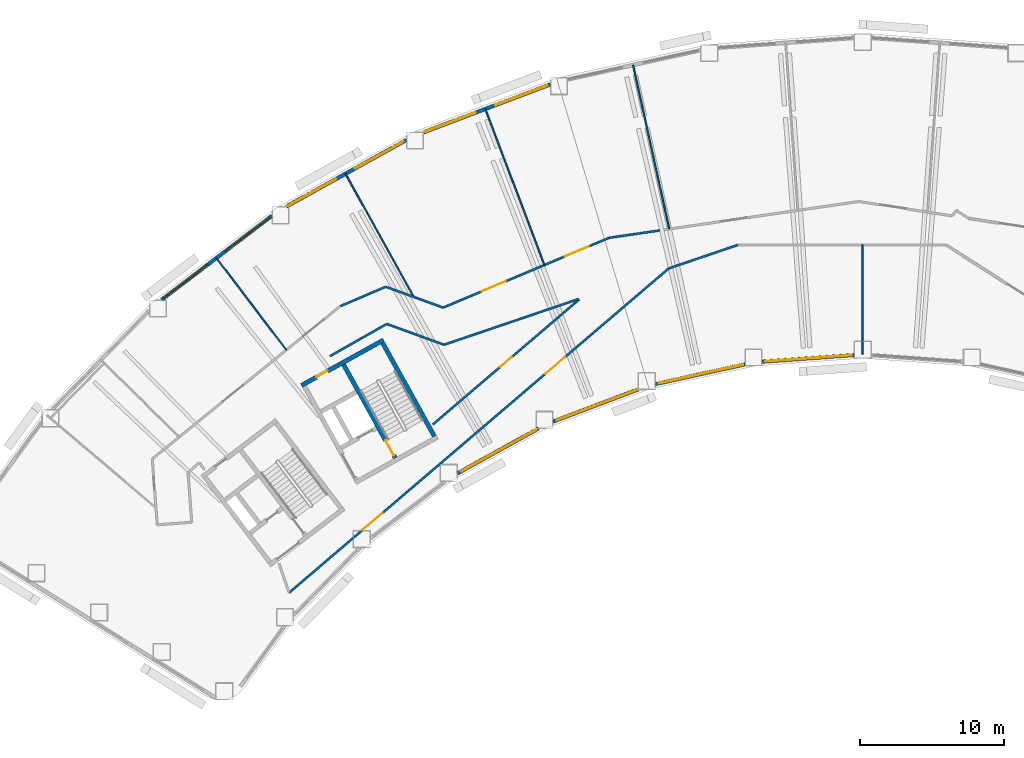
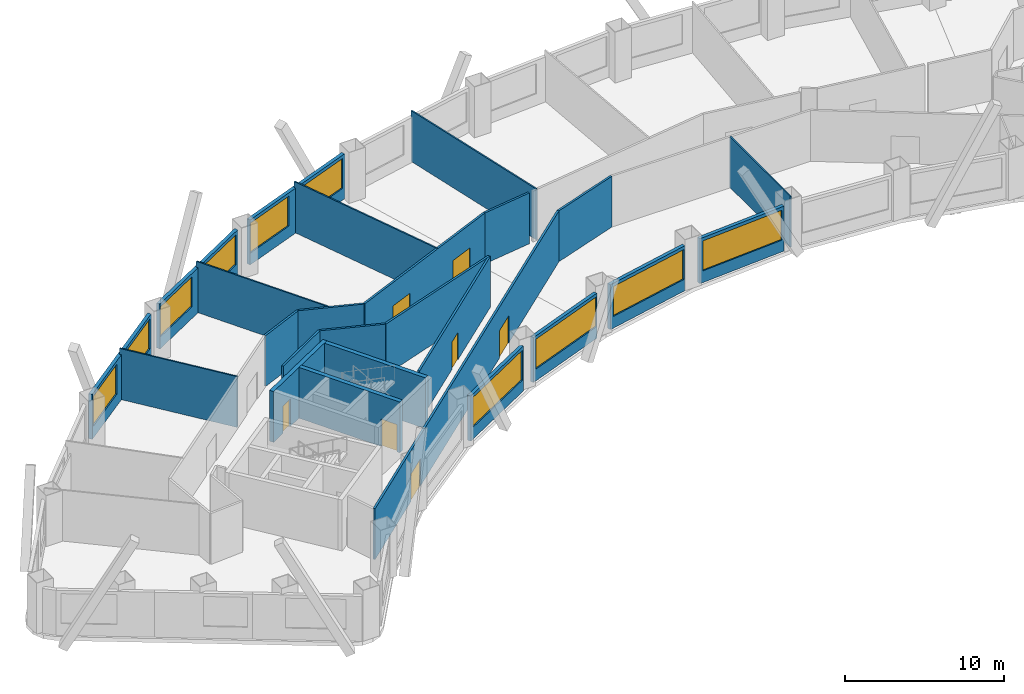
# One storey, part 4 of 11: 25 walls, 10 windows, 7 doors, 17 openings.
"""IFC4 building model written with IfcOpenShell, lengths in metres."""

from ifc_helpers import new_model, si_unit, direction, frame, frame_2d, origin, place, context, subcontext, project, spatial, rectangle, extrude, material, layer, layer_set, type_object, element, fill, save


model = new_model("IFC4")

# Units and contexts
model_context = context("Model", 3, precision=1e-05, world=origin(), true_north=direction((0.0, 1.0)))
body_context = subcontext(model_context, "Body", "Model", "MODEL_VIEW")
ifc_project = project(units=[si_unit("LENGTHUNIT", "METRE"), si_unit("AREAUNIT", "SQUARE_METRE"), si_unit("VOLUMEUNIT", "CUBIC_METRE"), si_unit("PLANEANGLEUNIT", "RADIAN"), si_unit("MASSUNIT", "GRAM", prefix="KILO")], contexts=[model_context])

# Site, building, storey
site_placement = place(None, origin())
site = spatial("IfcSite", under=ifc_project, at=site_placement, CompositionType="ELEMENT")
building_placement = place(site_placement, origin())
building = spatial("IfcBuilding", under=site, at=building_placement, Name="Tuul Gate Civic Tower", CompositionType="ELEMENT")
storey_placement = place(building_placement, frame((0.0, 0.0, 65.39990234375)))
storey = spatial("IfcBuildingStorey", under=building, at=storey_placement, Name="Level 14", CompositionType="ELEMENT", Elevation=65.39990234375)

# Wall, opening, door
ifc_material_1 = material(Name="Concrete C50/60", Category="concrete")
ifc_layer_1 = layer(ifc_material_1, 0.300048828125)
ifc_layer_set_1 = layer_set([ifc_layer_1], Name="Concrete C50/60")
wall_type_1 = type_object("IfcWallType", Name="Core wall C50/60", PredefinedType="SHEAR", material=ifc_layer_set_1)
wall_1_placement = place(storey_placement, frame((-28.4443359375, -1.98095703125, 0.0), z_axis=(0.0, 0.0, 1.0), x_axis=(-0.874629909008, -0.484791215132, 0.0)))
wall_1 = element("IfcWall", 1, at=wall_1_placement, inside=storey, type_object=wall_type_1, Name="Core wall", PredefinedType="SHEAR", context=body_context, shape_type="SweptSolid", body=[
    extrude(rectangle(XDim=6.5, YDim=0.300048828125, at=frame_2d((3.25, 0.0))), origin(), (0.0, 0.0, 1.0), 3.900146484375),
])
opening_1_placement = place(wall_1_placement, frame((4.425048828125, 0.0, 0.0)))
opening_1 = element("IfcOpeningElement", 2, at=opening_1_placement, cuts=wall_1, Name="Opening D-D23", PredefinedType="OPENING", context=body_context, shape_type="SweptSolid", body=[
    extrude(rectangle(XDim=0.89990234375, YDim=2.10009765625, at=frame_2d((0.449951171875, 1.050048828125))), frame((0.0, 0.16015625, 0.0), z_axis=(0.0, -1.0, 0.0), x_axis=(1.0, 0.0, 0.0)), (0.0, 0.0, 1.0), 0.320068359375),
])
ifc_material_2 = material(Name="Timber door leaf", Category="wood")
door_type_1 = type_object("IfcDoorType", Name="Door D09", OperationType="NOTDEFINED", PredefinedType="DOOR", material=ifc_material_2)
door_1_placement = place(opening_1_placement, origin())
door_1 = element("IfcDoor", 3, at=door_1_placement, inside=storey, type_object=door_type_1, Name="Door D-D23", OperationType="SINGLE_SWING_LEFT", OverallHeight=2.10009765625, OverallWidth=0.89990234375, PredefinedType="DOOR", context=body_context, shape_type="SweptSolid", body=[
    extrude(rectangle(XDim=0.89990234375, YDim=2.10009765625, at=frame_2d((0.449951171875, 1.050048828125))), frame((0.0, 0.02490234375, 0.0), z_axis=(0.0, -1.0, 0.0), x_axis=(1.0, 0.0, 0.0)), (0.0, 0.0, 1.0), 0.050048828125),
])
fill(opening_1, door_1)

# Wall
wall_2_placement = place(storey_placement, frame((-24.91552734375, -8.6572265625, 0.0), z_axis=(0.0, 0.0, 1.0), x_axis=(-0.484777133038, 0.874637714304, 0.0)))
element("IfcWall", 4, at=wall_2_placement, inside=storey, type_object=wall_type_1, Name="Core wall", PredefinedType="SHEAR", context=body_context, shape_type="SweptSolid", body=[
    extrude(rectangle(XDim=7.400146484375, YDim=0.300048828125, at=frame_2d((3.7001953125, 0.0))), origin(), (0.0, 0.0, 1.0), 3.900146484375),
])

# Wall, opening, door
wall_3_placement = place(storey_placement, frame((-27.626953125, -10.16015625, 0.0), z_axis=(0.0, 0.0, 1.0), x_axis=(-0.484751894226, 0.874651702704, 0.0)))
wall_3 = element("IfcWall", 5, at=wall_3_placement, inside=storey, type_object=wall_type_1, Name="Core wall", PredefinedType="SHEAR", context=body_context, shape_type="SweptSolid", body=[
    extrude(rectangle(XDim=7.39990234375, YDim=0.300048828125, at=frame_2d((3.699951171875, 0.0))), origin(), (0.0, 0.0, 1.0), 3.900146484375),
])
opening_2_placement = place(wall_3_placement, frame((0.199951171875, 0.0, 0.0)))
opening_2 = element("IfcOpeningElement", 6, at=opening_2_placement, cuts=wall_3, Name="Opening SD-ST-2", PredefinedType="OPENING", context=body_context, shape_type="SweptSolid", body=[
    extrude(rectangle(XDim=1.199951171875, YDim=2.10009765625, at=frame_2d((0.60009765625, 1.050048828125))), frame((0.0, 0.16015625, 0.0), z_axis=(0.0, -1.0, 0.0), x_axis=(1.0, 0.0, 0.0)), (0.0, 0.0, 1.0), 0.320068359375),
])
ifc_material_3 = material(Name="Steel", Category="steel")
door_type_2 = type_object("IfcDoorType", Name="Stair door", OperationType="NOTDEFINED", PredefinedType="DOOR", material=ifc_material_3)
door_2_placement = place(opening_2_placement, origin())
door_2 = element("IfcDoor", 7, at=door_2_placement, inside=storey, type_object=door_type_2, Name="Stair door ST-2", OperationType="SINGLE_SWING_LEFT", OverallHeight=2.10009765625, OverallWidth=1.199951171875, PredefinedType="DOOR", context=body_context, shape_type="SweptSolid", body=[
    extrude(rectangle(XDim=1.199951171875, YDim=2.10009765625, at=frame_2d((0.60009765625, 1.050048828125))), frame((0.0, 0.02490234375, 0.0), z_axis=(0.0, -1.0, 0.0), x_axis=(1.0, 0.0, 0.0)), (0.0, 0.0, 1.0), 0.050048828125),
])
fill(opening_2, door_2)

# Wall
ifc_material_4 = material(Name="Gypsum board partition")
ifc_layer_2 = layer(ifc_material_4, 0.14990234375)
ifc_layer_set_2 = layer_set([ifc_layer_2], Name="Gypsum board partition")
wall_type_2 = type_object("IfcWallType", Name="Corridor wall P150", PredefinedType="PARTITIONING", material=ifc_layer_set_2)
wall_4_placement = place(storey_placement, frame((-12.78564453125, 5.115478515625, 0.0), z_axis=(0.0, 0.0, 1.0), x_axis=(0.989602242761, 0.143831154912, 0.0)))
element("IfcWall", 8, at=wall_4_placement, inside=storey, type_object=wall_type_2, Name="p024", PredefinedType="PARTITIONING", context=body_context, shape_type="SweptSolid", body=[
    extrude(rectangle(XDim=3.5595703125, YDim=0.14990234375, at=frame_2d((1.77978515625, 0.0))), origin(), (0.0, 0.0, 1.0), 3.900146484375),
])

# Wall, opening, door
wall_5_placement = place(storey_placement, frame((-25.0244140625, -7.84130859375, 0.0), z_axis=(0.0, 0.0, 1.0), x_axis=(0.760328562732, 0.64953866451, 0.0)))
wall_5 = element("IfcWall", 9, at=wall_5_placement, inside=storey, type_object=wall_type_2, Name="p028", PredefinedType="PARTITIONING", context=body_context, shape_type="SweptSolid", body=[
    extrude(rectangle(XDim=13.36279296875, YDim=0.14990234375, at=frame_2d((6.681396484375, 0.0))), origin(), (0.0, 0.0, 1.0), 3.900146484375),
])
opening_3_placement = place(wall_5_placement, frame((6.13134765625, 0.0, 0.0)))
opening_3 = element("IfcOpeningElement", 10, at=opening_3_placement, cuts=wall_5, Name="Opening D-D20", PredefinedType="OPENING", context=body_context, shape_type="SweptSolid", body=[
    extrude(rectangle(XDim=1.10009765625, YDim=2.10009765625, at=frame_2d((0.550048828125, 1.050048828125))), frame((0.0, 0.0849609375, 0.0), z_axis=(0.0, -1.0, 0.0), x_axis=(1.0, 0.0, 0.0)), (0.0, 0.0, 1.0), 0.169921875),
])
ifc_material_5 = material(Name="Timber door leaf", Category="wood")
door_type_3 = type_object("IfcDoorType", Name="Door D11", OperationType="NOTDEFINED", PredefinedType="DOOR", material=ifc_material_5)
door_3_placement = place(opening_3_placement, origin())
door_3 = element("IfcDoor", 11, at=door_3_placement, inside=storey, type_object=door_type_3, Name="Door D-D20", OperationType="SINGLE_SWING_RIGHT", OverallHeight=2.10009765625, OverallWidth=1.10009765625, PredefinedType="DOOR", context=body_context, shape_type="SweptSolid", body=[
    extrude(rectangle(XDim=1.10009765625, YDim=2.10009765625, at=frame_2d((0.550048828125, 1.050048828125))), frame((0.0, 0.02490234375, 0.0), z_axis=(0.0, -1.0, 0.0), x_axis=(1.0, 0.0, 0.0)), (0.0, 0.0, 1.0), 0.050048828125),
])
fill(opening_3, door_3)

# Wall, openings, doors
wall_6_placement = place(storey_placement, frame((-24.299560546875, 0.2724609375, 0.0), z_axis=(0.0, 0.0, 1.0), x_axis=(0.921779177924, 0.387715291349, 0.0)))
wall_6 = element("IfcWall", 12, at=wall_6_placement, inside=storey, type_object=wall_type_2, Name="p029", PredefinedType="PARTITIONING", context=body_context, shape_type="SweptSolid", body=[
    extrude(rectangle(XDim=12.489990234375, YDim=0.14990234375, at=frame_2d((6.2451171875, 0.0))), origin(), (0.0, 0.0, 1.0), 3.900146484375),
])
opening_4_placement = place(wall_6_placement, frame((9.151611328125, 0.0, 0.0)))
opening_4 = element("IfcOpeningElement", 13, at=opening_4_placement, cuts=wall_6, Name="Opening D-D08", PredefinedType="OPENING", context=body_context, shape_type="SweptSolid", body=[
    extrude(rectangle(XDim=1.800048828125, YDim=2.10009765625, at=frame_2d((0.89990234375, 1.050048828125))), frame((0.0, 0.0849609375, 0.0), z_axis=(0.0, -1.0, 0.0), x_axis=(1.0, 0.0, 0.0)), (0.0, 0.0, 1.0), 0.169921875),
])
opening_5_placement = place(wall_6_placement, frame((2.906494140625, 0.0, 0.0)))
opening_5 = element("IfcOpeningElement", 14, at=opening_5_placement, cuts=wall_6, Name="Opening D-D09", PredefinedType="OPENING", context=body_context, shape_type="SweptSolid", body=[
    extrude(rectangle(XDim=1.800048828125, YDim=2.10009765625, at=frame_2d((0.89990234375, 1.050048828125))), frame((0.0, 0.0849609375, 0.0), z_axis=(0.0, -1.0, 0.0), x_axis=(1.0, 0.0, 0.0)), (0.0, 0.0, 1.0), 0.169921875),
])
ifc_material_6 = material(Name="Timber door leaf, double", Category="wood")
door_type_4 = type_object("IfcDoorType", Name="Door D18", OperationType="DOUBLE_DOOR_SINGLE_SWING", PredefinedType="DOOR", material=ifc_material_6)
door_4_placement = place(opening_4_placement, origin())
door_4 = element("IfcDoor", 15, at=door_4_placement, inside=storey, type_object=door_type_4, Name="Door D-D08", OperationType="DOUBLE_DOOR_SINGLE_SWING", OverallHeight=2.10009765625, OverallWidth=1.800048828125, PredefinedType="DOOR", context=body_context, shape_type="SweptSolid", body=[
    extrude(rectangle(XDim=1.800048828125, YDim=2.10009765625, at=frame_2d((0.89990234375, 1.050048828125))), frame((0.0, 0.02490234375, 0.0), z_axis=(0.0, -1.0, 0.0), x_axis=(1.0, 0.0, 0.0)), (0.0, 0.0, 1.0), 0.050048828125),
])
fill(opening_4, door_4)
door_5_placement = place(opening_5_placement, origin())
door_5 = element("IfcDoor", 16, at=door_5_placement, inside=storey, type_object=door_type_4, Name="Door D-D09", OperationType="DOUBLE_DOOR_SINGLE_SWING", OverallHeight=2.10009765625, OverallWidth=1.800048828125, PredefinedType="DOOR", context=body_context, shape_type="SweptSolid", body=[
    extrude(rectangle(XDim=1.800048828125, YDim=2.10009765625, at=frame_2d((0.89990234375, 1.050048828125))), frame((0.0, 0.02490234375, 0.0), z_axis=(0.0, -1.0, 0.0), x_axis=(1.0, 0.0, 0.0)), (0.0, 0.0, 1.0), 0.050048828125),
])
fill(opening_5, door_5)

# Walls
wall_7_placement = place(storey_placement, frame((-28.2880859375, 1.718017578125, 0.0), z_axis=(0.0, 0.0, 1.0), x_axis=(0.939736097702, -0.34190066785, 0.0)))
element("IfcWall", 17, at=wall_7_placement, inside=storey, type_object=wall_type_2, Name="p031", PredefinedType="PARTITIONING", context=body_context, shape_type="SweptSolid", body=[
    extrude(rectangle(XDim=4.228759765625, YDim=0.14990234375, at=frame_2d((2.1142578125, 0.0))), origin(), (0.0, 0.0, 1.0), 3.900146484375),
])
wall_8_placement = place(storey_placement, frame((-31.446044921875, 0.367919921875, 0.0), z_axis=(0.0, 0.0, 1.0), x_axis=(0.919450012258, 0.393206911127, 0.0)))
element("IfcWall", 18, at=wall_8_placement, inside=storey, type_object=wall_type_2, Name="p033", PredefinedType="PARTITIONING", context=body_context, shape_type="SweptSolid", body=[
    extrude(rectangle(XDim=3.43359375, YDim=0.14990234375, at=frame_2d((1.716796875, 0.0))), origin(), (0.0, 0.0, 1.0), 3.900146484375),
])

# Wall, openings, doors
wall_9_placement = place(storey_placement, frame((-34.99658203125, -19.5166015625, 0.0), z_axis=(0.0, 0.0, 1.0), x_axis=(0.760343231468, 0.649521493378, 0.0)))
wall_9 = element("IfcWall", 19, at=wall_9_placement, inside=storey, type_object=wall_type_2, Name="p048", PredefinedType="PARTITIONING", context=body_context, shape_type="SweptSolid", body=[
    extrude(rectangle(XDim=34.651123046875, YDim=0.14990234375, at=frame_2d((17.32568359375, 0.0))), origin(), (0.0, 0.0, 1.0), 3.900146484375),
])
opening_6_placement = place(wall_9_placement, frame((23.39501953125, 0.0, 0.0)))
opening_6 = element("IfcOpeningElement", 20, at=opening_6_placement, cuts=wall_9, Name="Opening D-D16", PredefinedType="OPENING", context=body_context, shape_type="SweptSolid", body=[
    extrude(rectangle(XDim=1.800048828125, YDim=2.10009765625, at=frame_2d((0.89990234375, 1.050048828125))), frame((0.0, 0.0849609375, 0.0), z_axis=(0.0, -1.0, 0.0), x_axis=(1.0, 0.0, 0.0)), (0.0, 0.0, 1.0), 0.169921875),
])
opening_7_placement = place(wall_9_placement, frame((6.719970703125, 0.0, 0.0)))
opening_7 = element("IfcOpeningElement", 21, at=opening_7_placement, cuts=wall_9, Name="Opening D-D17", PredefinedType="OPENING", context=body_context, shape_type="SweptSolid", body=[
    extrude(rectangle(XDim=1.800048828125, YDim=2.10009765625, at=frame_2d((0.89990234375, 1.050048828125))), frame((0.0, 0.0849609375, 0.0), z_axis=(0.0, -1.0, 0.0), x_axis=(1.0, 0.0, 0.0)), (0.0, 0.0, 1.0), 0.169921875),
])
door_6_placement = place(opening_6_placement, frame((1.800048828125, 0.0, 0.0), z_axis=(0.0, 0.0, 1.0), x_axis=(-1.0, 0.0, 0.0)))
door_6 = element("IfcDoor", 22, at=door_6_placement, inside=storey, type_object=door_type_4, Name="Door D-D16", OperationType="DOUBLE_DOOR_SINGLE_SWING", OverallHeight=2.10009765625, OverallWidth=1.800048828125, PredefinedType="DOOR", context=body_context, shape_type="SweptSolid", body=[
    extrude(rectangle(XDim=1.800048828125, YDim=2.10009765625, at=frame_2d((0.900146484375, 1.050048828125))), frame((0.0, 0.02490234375, 0.0), z_axis=(0.0, -1.0, 0.0), x_axis=(1.0, 0.0, 0.0)), (0.0, 0.0, 1.0), 0.050048828125),
])
fill(opening_6, door_6)
door_7_placement = place(opening_7_placement, origin())
door_7 = element("IfcDoor", 23, at=door_7_placement, inside=storey, type_object=door_type_4, Name="Door D-D17", OperationType="DOUBLE_DOOR_SINGLE_SWING", OverallHeight=2.10009765625, OverallWidth=1.800048828125, PredefinedType="DOOR", context=body_context, shape_type="SweptSolid", body=[
    extrude(rectangle(XDim=1.800048828125, YDim=2.10009765625, at=frame_2d((0.89990234375, 1.050048828125))), frame((0.0, 0.02490234375, 0.0), z_axis=(0.0, -1.0, 0.0), x_axis=(1.0, 0.0, 0.0)), (0.0, 0.0, 1.0), 0.050048828125),
])
fill(opening_7, door_7)

# Walls
wall_10_placement = place(storey_placement, frame((-24.242919921875, -2.307373046875, 0.0), z_axis=(0.0, 0.0, 1.0), x_axis=(0.946849798202, 0.321676016584, 0.0)))
element("IfcWall", 24, at=wall_10_placement, inside=storey, type_object=wall_type_2, Name="p049", PredefinedType="PARTITIONING", context=body_context, shape_type="SweptSolid", body=[
    extrude(rectangle(XDim=9.884765625, YDim=0.14990234375, at=frame_2d((4.9423828125, 0.0))), origin(), (0.0, 0.0, 1.0), 3.900146484375),
])
wall_11_placement = place(storey_placement, frame((-8.64990234375, 2.989990234375, 0.0), z_axis=(0.0, 0.0, 1.0), x_axis=(0.946835037056, 0.321719462581, 0.0)))
element("IfcWall", 25, at=wall_11_placement, inside=storey, type_object=wall_type_2, Name="p050", PredefinedType="PARTITIONING", context=body_context, shape_type="SweptSolid", body=[
    extrude(rectangle(XDim=5.063232421875, YDim=0.14990234375, at=frame_2d((2.53173828125, 0.0))), origin(), (0.0, 0.0, 1.0), 3.900146484375),
])
wall_12_placement = place(storey_placement, frame((-32.1611328125, -3.10009765625, 0.0), z_axis=(0.0, 0.0, 1.0), x_axis=(0.869667136578, 0.493638604199, 0.0)))
element("IfcWall", 26, at=wall_12_placement, inside=storey, type_object=wall_type_2, Name="p063", PredefinedType="PARTITIONING", context=body_context, shape_type="SweptSolid", body=[
    extrude(rectangle(XDim=4.525390625, YDim=0.14990234375, at=frame_2d((2.2626953125, 0.0))), origin(), (0.0, 0.0, 1.0), 3.900146484375),
])
wall_13_placement = place(storey_placement, frame((-28.208740234375, -0.86474609375, 0.0), z_axis=(0.0, 0.0, 1.0), x_axis=(0.939734280525, -0.341905662436, 0.0)))
element("IfcWall", 27, at=wall_13_placement, inside=storey, type_object=wall_type_2, Name="p064", PredefinedType="PARTITIONING", context=body_context, shape_type="SweptSolid", body=[
    extrude(rectangle(XDim=4.219482421875, YDim=0.14990234375, at=frame_2d((2.10986328125, 0.0))), origin(), (0.0, 0.0, 1.0), 3.900146484375),
])

# Wall, openings, windows
ifc_material_7 = material(Name="Precast concrete C40/50", Category="concrete")
ifc_layer_3 = layer(ifc_material_7, 0.25)
ifc_layer_set_3 = layer_set([ifc_layer_3], Name="Precast concrete C40/50")
wall_type_3 = type_object("IfcWallType", Name="External wall", PredefinedType="STANDARD", material=ifc_layer_set_3)
wall_14_placement = place(storey_placement, frame((-16.867919921875, 15.75830078125, 0.0), z_axis=(0.0, 0.0, 1.0), x_axis=(-0.935342969648, -0.353742178897, 0.0)))
wall_14 = element("IfcWall", 28, at=wall_14_placement, inside=storey, type_object=wall_type_3, Name="External wall", PredefinedType="STANDARD", context=body_context, shape_type="SweptSolid", body=[
    extrude(rectangle(XDim=9.39453125, YDim=0.25, at=frame_2d((4.697265625, 0.0))), origin(), (0.0, 0.0, 1.0), 3.4501953125),
])
opening_8_placement = place(wall_14_placement, frame((0.209716796875, 0.0, 0.89990234375)))
opening_8 = element("IfcOpeningElement", 29, at=opening_8_placement, cuts=wall_14, Name="Opening W22", PredefinedType="OPENING", context=body_context, shape_type="SweptSolid", body=[
    extrude(rectangle(XDim=3.85009765625, YDim=2.300048828125, at=frame_2d((1.925048828125, 1.14990234375))), frame((0.0, 0.135009765625, 0.0), z_axis=(0.0, -1.0, 0.0), x_axis=(1.0, 0.0, 0.0)), (0.0, 0.0, 1.0), 0.27001953125),
])
opening_9_placement = place(wall_14_placement, frame((5.549072265625, 0.0, 0.89990234375)))
opening_9 = element("IfcOpeningElement", 30, at=opening_9_placement, cuts=wall_14, Name="Opening W100", PredefinedType="OPENING", context=body_context, shape_type="SweptSolid", body=[
    extrude(rectangle(XDim=3.800048828125, YDim=2.300048828125, at=frame_2d((1.89990234375, 1.14990234375))), frame((0.0, 0.135009765625, 0.0), z_axis=(0.0, -1.0, 0.0), x_axis=(1.0, 0.0, 0.0)), (0.0, 0.0, 1.0), 0.27001953125),
])
ifc_material_8 = material(Name="Glass", Category="glass")
window_type_1 = type_object("IfcWindowType", Name="Window W100 3800 x 2300", PartitioningType="SINGLE_PANEL", PredefinedType="WINDOW", material=ifc_material_8)
window_1_placement = place(opening_9_placement, origin())
window_1 = element("IfcWindow", 31, at=window_1_placement, inside=storey, type_object=window_type_1, Name="Window", OverallHeight=2.300048828125, OverallWidth=3.800048828125, PartitioningType="SINGLE_PANEL", PredefinedType="WINDOW", context=body_context, shape_type="SweptSolid", body=[
    extrude(rectangle(XDim=3.800048828125, YDim=2.300048828125, at=frame_2d((1.89990234375, 1.14990234375))), frame((0.0, 0.030029296875, 0.0), z_axis=(0.0, -1.0, 0.0), x_axis=(1.0, 0.0, 0.0)), (0.0, 0.0, 1.0), 0.06005859375),
])
fill(opening_9, window_1)
ifc_material_9 = material(Name="Glass", Category="glass")
window_type_2 = type_object("IfcWindowType", Name="Window W22 3850 x 2300", PartitioningType="SINGLE_PANEL", PredefinedType="WINDOW", material=ifc_material_9)
window_2_placement = place(opening_8_placement, origin())
window_2 = element("IfcWindow", 32, at=window_2_placement, inside=storey, type_object=window_type_2, Name="Window", OverallHeight=2.300048828125, OverallWidth=3.85009765625, PartitioningType="SINGLE_PANEL", PredefinedType="WINDOW", context=body_context, shape_type="SweptSolid", body=[
    extrude(rectangle(XDim=3.85009765625, YDim=2.300048828125, at=frame_2d((1.925048828125, 1.14990234375))), frame((0.0, 0.030029296875, 0.0), z_axis=(0.0, -1.0, 0.0), x_axis=(1.0, 0.0, 0.0)), (0.0, 0.0, 1.0), 0.06005859375),
])
fill(opening_8, window_2)

wall_15_placement = place(storey_placement, frame((-26.85498046875, 11.89990234375, 0.0), z_axis=(0.0, 0.0, 1.0), x_axis=(-0.874624944876, -0.484800170999, 0.0)))
wall_15 = element("IfcWall", 33, at=wall_15_placement, inside=storey, type_object=wall_type_3, Name="External wall", PredefinedType="STANDARD", context=body_context, shape_type="SweptSolid", body=[
    extrude(rectangle(XDim=9.521484375, YDim=0.25, at=frame_2d((4.7607421875, 0.0))), origin(), (0.0, 0.0, 1.0), 3.4501953125),
])
opening_10_placement = place(wall_15_placement, frame((0.22265625, 0.0, 0.89990234375)))
opening_10 = element("IfcOpeningElement", 34, at=opening_10_placement, cuts=wall_15, Name="Opening W22", PredefinedType="OPENING", context=body_context, shape_type="SweptSolid", body=[
    extrude(rectangle(XDim=3.85009765625, YDim=2.300048828125, at=frame_2d((1.925048828125, 1.14990234375))), frame((0.0, 0.135009765625, 0.0), z_axis=(0.0, -1.0, 0.0), x_axis=(1.0, 0.0, 0.0)), (0.0, 0.0, 1.0), 0.27001953125),
])
opening_11_placement = place(wall_15_placement, frame((5.593994140625, 0.0, 0.89990234375)))
opening_11 = element("IfcOpeningElement", 35, at=opening_11_placement, cuts=wall_15, Name="Opening W22", PredefinedType="OPENING", context=body_context, shape_type="SweptSolid", body=[
    extrude(rectangle(XDim=3.85009765625, YDim=2.300048828125, at=frame_2d((1.925048828125, 1.14990234375))), frame((0.0, 0.135009765625, 0.0), z_axis=(0.0, -1.0, 0.0), x_axis=(1.0, 0.0, 0.0)), (0.0, 0.0, 1.0), 0.27001953125),
])
window_3_placement = place(opening_10_placement, origin())
window_3 = element("IfcWindow", 36, at=window_3_placement, inside=storey, type_object=window_type_2, Name="Window", OverallHeight=2.300048828125, OverallWidth=3.85009765625, PartitioningType="SINGLE_PANEL", PredefinedType="WINDOW", context=body_context, shape_type="SweptSolid", body=[
    extrude(rectangle(XDim=3.85009765625, YDim=2.300048828125, at=frame_2d((1.925048828125, 1.14990234375))), frame((0.0, 0.030029296875, 0.0), z_axis=(0.0, -1.0, 0.0), x_axis=(1.0, 0.0, 0.0)), (0.0, 0.0, 1.0), 0.06005859375),
])
fill(opening_10, window_3)
window_4_placement = place(opening_11_placement, origin())
window_4 = element("IfcWindow", 37, at=window_4_placement, inside=storey, type_object=window_type_2, Name="Window", OverallHeight=2.300048828125, OverallWidth=3.85009765625, PartitioningType="SINGLE_PANEL", PredefinedType="WINDOW", context=body_context, shape_type="SweptSolid", body=[
    extrude(rectangle(XDim=3.85009765625, YDim=2.300048828125, at=frame_2d((1.925048828125, 1.14990234375))), frame((0.0, 0.030029296875, 0.0), z_axis=(0.0, -1.0, 0.0), x_axis=(1.0, 0.0, 0.0)), (0.0, 0.0, 1.0), 0.06005859375),
])
fill(opening_11, window_4)

wall_16_placement = place(storey_placement, frame((-36.194091796875, 6.635986328125, 0.0), z_axis=(0.0, 0.0, 1.0), x_axis=(-0.795611941646, -0.605806601409, 0.0)))
wall_16 = element("IfcWall", 38, at=wall_16_placement, inside=storey, type_object=wall_type_3, Name="External wall", PredefinedType="STANDARD", context=body_context, shape_type="SweptSolid", body=[
    extrude(rectangle(XDim=9.607177734375, YDim=0.25, at=frame_2d((4.8037109375, 0.0))), origin(), (0.0, 0.0, 1.0), 3.4501953125),
])
opening_12_placement = place(wall_16_placement, frame((0.221923828125, 0.0, 0.89990234375)))
opening_12 = element("IfcOpeningElement", 39, at=opening_12_placement, cuts=wall_16, Name="Opening W22", PredefinedType="OPENING", context=body_context, shape_type="SweptSolid", body=[
    extrude(rectangle(XDim=3.85009765625, YDim=2.300048828125, at=frame_2d((1.925048828125, 1.14990234375))), frame((0.0, 0.135009765625, 0.0), z_axis=(0.0, -1.0, 0.0), x_axis=(1.0, 0.0, 0.0)), (0.0, 0.0, 1.0), 0.27001953125),
])
opening_13_placement = place(wall_16_placement, frame((5.59326171875, 0.0, 0.89990234375)))
opening_13 = element("IfcOpeningElement", 40, at=opening_13_placement, cuts=wall_16, Name="Opening W22", PredefinedType="OPENING", context=body_context, shape_type="SweptSolid", body=[
    extrude(rectangle(XDim=3.85009765625, YDim=2.300048828125, at=frame_2d((1.925048828125, 1.14990234375))), frame((0.0, 0.135009765625, 0.0), z_axis=(0.0, -1.0, 0.0), x_axis=(1.0, 0.0, 0.0)), (0.0, 0.0, 1.0), 0.27001953125),
])
window_5_placement = place(opening_12_placement, origin())
window_5 = element("IfcWindow", 41, at=window_5_placement, inside=storey, type_object=window_type_2, Name="Window", OverallHeight=2.300048828125, OverallWidth=3.85009765625, PartitioningType="SINGLE_PANEL", PredefinedType="WINDOW", context=body_context, shape_type="SweptSolid", body=[
    extrude(rectangle(XDim=3.85009765625, YDim=2.300048828125, at=frame_2d((1.925048828125, 1.14990234375))), frame((0.0, 0.030029296875, 0.0), z_axis=(0.0, -1.0, 0.0), x_axis=(1.0, 0.0, 0.0)), (0.0, 0.0, 1.0), 0.06005859375),
])
fill(opening_12, window_5)
window_6_placement = place(opening_13_placement, origin())
window_6 = element("IfcWindow", 42, at=window_6_placement, inside=storey, type_object=window_type_2, Name="Window", OverallHeight=2.300048828125, OverallWidth=3.85009765625, PartitioningType="SINGLE_PANEL", PredefinedType="WINDOW", context=body_context, shape_type="SweptSolid", body=[
    extrude(rectangle(XDim=3.85009765625, YDim=2.300048828125, at=frame_2d((1.925048828125, 1.14990234375))), frame((0.0, 0.030029296875, 0.0), z_axis=(0.0, -1.0, 0.0), x_axis=(1.0, 0.0, 0.0)), (0.0, 0.0, 1.0), 0.06005859375),
])
fill(opening_13, window_6)

# Wall, opening, window
wall_17_placement = place(storey_placement, frame((-23.318115234375, -11.23583984375, 0.0), z_axis=(0.0, 0.0, 1.0), x_axis=(0.874622293174, 0.484804954888, 0.0)))
wall_17 = element("IfcWall", 43, at=wall_17_placement, inside=storey, type_object=wall_type_3, Name="External wall", PredefinedType="STANDARD", context=body_context, shape_type="SweptSolid", body=[
    extrude(rectangle(XDim=6.433349609375, YDim=0.25, at=frame_2d((3.216796875, 0.0))), origin(), (0.0, 0.0, 1.0), 3.4501953125),
])
opening_14_placement = place(wall_17_placement, frame((0.289306640625, 0.0, 0.89990234375)))
opening_14 = element("IfcOpeningElement", 44, at=opening_14_placement, cuts=wall_17, Name="Opening W26", PredefinedType="OPENING", context=body_context, shape_type="SweptSolid", body=[
    extrude(rectangle(XDim=6.0, YDim=2.300048828125, at=frame_2d((3.0, 1.14990234375))), frame((0.0, 0.135009765625, 0.0), z_axis=(0.0, -1.0, 0.0), x_axis=(1.0, 0.0, 0.0)), (0.0, 0.0, 1.0), 0.27001953125),
])
ifc_material_10 = material(Name="Glass", Category="glass")
window_type_3 = type_object("IfcWindowType", Name="Window W26 6000 x 2300", PartitioningType="SINGLE_PANEL", PredefinedType="WINDOW", material=ifc_material_10)
window_7_placement = place(opening_14_placement, origin())
window_7 = element("IfcWindow", 45, at=window_7_placement, inside=storey, type_object=window_type_3, Name="Window", OverallHeight=2.300048828125, OverallWidth=6.0, PartitioningType="SINGLE_PANEL", PredefinedType="WINDOW", context=body_context, shape_type="SweptSolid", body=[
    extrude(rectangle(XDim=6.0, YDim=2.300048828125, at=frame_2d((3.0, 1.14990234375))), frame((0.0, 0.030029296875, 0.0), z_axis=(0.0, -1.0, 0.0), x_axis=(1.0, 0.0, 0.0)), (0.0, 0.0, 1.0), 0.06005859375),
])
fill(opening_14, window_7)

wall_18_placement = place(storey_placement, frame((-16.677978515625, -7.636962890625, 0.0), z_axis=(0.0, 0.0, 1.0), x_axis=(0.935355477431, 0.353709104829, 0.0)))
wall_18 = element("IfcWall", 46, at=wall_18_placement, inside=storey, type_object=wall_type_3, Name="External wall", PredefinedType="STANDARD", context=body_context, shape_type="SweptSolid", body=[
    extrude(rectangle(XDim=6.30859375, YDim=0.25, at=frame_2d((3.154296875, 0.0))), origin(), (0.0, 0.0, 1.0), 3.4501953125),
])
opening_15_placement = place(wall_18_placement, frame((0.276611328125, 0.0, 0.89990234375)))
opening_15 = element("IfcOpeningElement", 47, at=opening_15_placement, cuts=wall_18, Name="Opening W26", PredefinedType="OPENING", context=body_context, shape_type="SweptSolid", body=[
    extrude(rectangle(XDim=6.0, YDim=2.300048828125, at=frame_2d((3.0, 1.14990234375))), frame((0.0, 0.135009765625, 0.0), z_axis=(0.0, -1.0, 0.0), x_axis=(1.0, 0.0, 0.0)), (0.0, 0.0, 1.0), 0.27001953125),
])
window_8_placement = place(opening_15_placement, origin())
window_8 = element("IfcWindow", 48, at=window_8_placement, inside=storey, type_object=window_type_3, Name="Window", OverallHeight=2.300048828125, OverallWidth=6.0, PartitioningType="SINGLE_PANEL", PredefinedType="WINDOW", context=body_context, shape_type="SweptSolid", body=[
    extrude(rectangle(XDim=6.0, YDim=2.300048828125, at=frame_2d((3.0, 1.14990234375))), frame((0.0, 0.030029296875, 0.0), z_axis=(0.0, -1.0, 0.0), x_axis=(1.0, 0.0, 0.0)), (0.0, 0.0, 1.0), 0.06005859375),
])
fill(opening_15, window_8)

wall_19_placement = place(storey_placement, frame((-9.576904296875, -5.031982421875, 0.0), z_axis=(0.0, 0.0, 1.0), x_axis=(0.976560321841, 0.215243903065, 0.0)))
wall_19 = element("IfcWall", 49, at=wall_19_placement, inside=storey, type_object=wall_type_3, Name="External wall", PredefinedType="STANDARD", context=body_context, shape_type="SweptSolid", body=[
    extrude(rectangle(XDim=6.362060546875, YDim=0.25, at=frame_2d((3.18115234375, 0.0))), origin(), (0.0, 0.0, 1.0), 3.4501953125),
])
opening_16_placement = place(wall_19_placement, frame((0.25244140625, 0.0, 0.89990234375)))
opening_16 = element("IfcOpeningElement", 50, at=opening_16_placement, cuts=wall_19, Name="Opening W26", PredefinedType="OPENING", context=body_context, shape_type="SweptSolid", body=[
    extrude(rectangle(XDim=6.0, YDim=2.300048828125, at=frame_2d((3.0, 1.14990234375))), frame((0.0, 0.135009765625, 0.0), z_axis=(0.0, -1.0, 0.0), x_axis=(1.0, 0.0, 0.0)), (0.0, 0.0, 1.0), 0.27001953125),
])
window_9_placement = place(opening_16_placement, origin())
window_9 = element("IfcWindow", 51, at=window_9_placement, inside=storey, type_object=window_type_3, Name="Window", OverallHeight=2.300048828125, OverallWidth=6.0, PartitioningType="SINGLE_PANEL", PredefinedType="WINDOW", context=body_context, shape_type="SweptSolid", body=[
    extrude(rectangle(XDim=6.0, YDim=2.300048828125, at=frame_2d((3.0, 1.14990234375))), frame((0.0, 0.030029296875, 0.0), z_axis=(0.0, -1.0, 0.0), x_axis=(1.0, 0.0, 0.0)), (0.0, 0.0, 1.0), 0.06005859375),
])
fill(opening_16, window_9)

wall_20_placement = place(storey_placement, frame((-2.1640625, -3.47998046875, 0.0), z_axis=(0.0, 0.0, 1.0), x_axis=(0.997382879348, 0.072300705277, 0.0)))
wall_20 = element("IfcWall", 52, at=wall_20_placement, inside=storey, type_object=wall_type_3, Name="External wall", PredefinedType="STANDARD", context=body_context, shape_type="SweptSolid", body=[
    extrude(rectangle(XDim=6.388671875, YDim=0.25, at=frame_2d((3.1943359375, 0.0))), origin(), (0.0, 0.0, 1.0), 3.4501953125),
])
opening_17_placement = place(wall_20_placement, frame((0.2177734375, 0.0, 0.89990234375)))
opening_17 = element("IfcOpeningElement", 53, at=opening_17_placement, cuts=wall_20, Name="Opening W26", PredefinedType="OPENING", context=body_context, shape_type="SweptSolid", body=[
    extrude(rectangle(XDim=6.0, YDim=2.300048828125, at=frame_2d((3.0, 1.14990234375))), frame((0.0, 0.135009765625, 0.0), z_axis=(0.0, -1.0, 0.0), x_axis=(1.0, 0.0, 0.0)), (0.0, 0.0, 1.0), 0.27001953125),
])
window_10_placement = place(opening_17_placement, origin())
window_10 = element("IfcWindow", 54, at=window_10_placement, inside=storey, type_object=window_type_3, Name="Window", OverallHeight=2.300048828125, OverallWidth=6.0, PartitioningType="SINGLE_PANEL", PredefinedType="WINDOW", context=body_context, shape_type="SweptSolid", body=[
    extrude(rectangle(XDim=6.0, YDim=2.300048828125, at=frame_2d((3.0, 1.14990234375))), frame((0.0, 0.030029296875, 0.0), z_axis=(0.0, -1.0, 0.0), x_axis=(1.0, 0.0, 0.0)), (0.0, 0.0, 1.0), 0.06005859375),
])
fill(opening_17, window_10)

# Walls
ifc_material_11 = material(Name="Gypsum board partition")
ifc_layer_4 = layer(ifc_material_11, 0.10009765625)
ifc_layer_set_4 = layer_set([ifc_layer_4], Name="Gypsum board partition")
wall_type_4 = type_object("IfcWallType", Name="Partition P100", PredefinedType="PARTITIONING", material=ifc_layer_set_4)
wall_21_placement = place(storey_placement, frame((-11.125732421875, 17.10888671875, 0.0), z_axis=(0.0, 0.0, 1.0), x_axis=(0.21521205124, -0.976567341764, 0.0)))
element("IfcWall", 55, at=wall_21_placement, inside=storey, type_object=wall_type_4, Name="p026", PredefinedType="PARTITIONING", context=body_context, shape_type="SweptSolid", body=[
    extrude(rectangle(XDim=11.66064453125, YDim=0.10009765625, at=frame_2d((5.830322265625, 0.0))), origin(), (0.0, 0.0, 1.0), 3.900146484375),
])
wall_22_placement = place(storey_placement, frame((-21.378662109375, 14.0576171875, 0.0), z_axis=(0.0, 0.0, 1.0), x_axis=(0.353711683825, -0.935354502168, 0.0)))
element("IfcWall", 56, at=wall_22_placement, inside=storey, type_object=wall_type_4, Name="p027", PredefinedType="PARTITIONING", context=body_context, shape_type="SweptSolid", body=[
    extrude(rectangle(XDim=11.58203125, YDim=0.10009765625, at=frame_2d((5.791015625, 0.0))), origin(), (0.0, 0.0, 1.0), 3.900146484375),
])
wall_23_placement = place(storey_placement, frame((-31.084716796875, 9.56103515625, 0.0), z_axis=(0.0, 0.0, 1.0), x_axis=(0.484811473751, -0.874618679722, 0.0)))
element("IfcWall", 57, at=wall_23_placement, inside=storey, type_object=wall_type_4, Name="p030", PredefinedType="PARTITIONING", context=body_context, shape_type="SweptSolid", body=[
    extrude(rectangle(XDim=9.775390625, YDim=0.10009765625, at=frame_2d((4.8876953125, 0.0))), origin(), (0.0, 0.0, 1.0), 3.900146484375),
])
wall_24_placement = place(storey_placement, frame((-40.04150390625, 3.712646484375, 0.0), z_axis=(0.0, 0.0, 1.0), x_axis=(0.605770771616, -0.795639222421, 0.0)))
element("IfcWall", 58, at=wall_24_placement, inside=storey, type_object=wall_type_4, Name="p032", PredefinedType="PARTITIONING", context=body_context, shape_type="SweptSolid", body=[
    extrude(rectangle(XDim=8.019775390625, YDim=0.10009765625, at=frame_2d((4.009765625, 0.0))), origin(), (0.0, 0.0, 1.0), 3.900146484375),
])
wall_25_placement = place(storey_placement, frame((4.808349609375, -2.979736328125, 0.0), z_axis=(0.0, 0.0, 1.0), x_axis=(0.0, 1.0, 0.0)))
element("IfcWall", 59, at=wall_25_placement, inside=storey, type_object=wall_type_4, Name="p045", PredefinedType="PARTITIONING", context=body_context, shape_type="SweptSolid", body=[
    extrude(rectangle(XDim=7.5986328125, YDim=0.10009765625, at=frame_2d((3.79931640625, 0.0))), origin(), (0.0, 0.0, 1.0), 3.900146484375),
])

save(model, "model.ifc")
